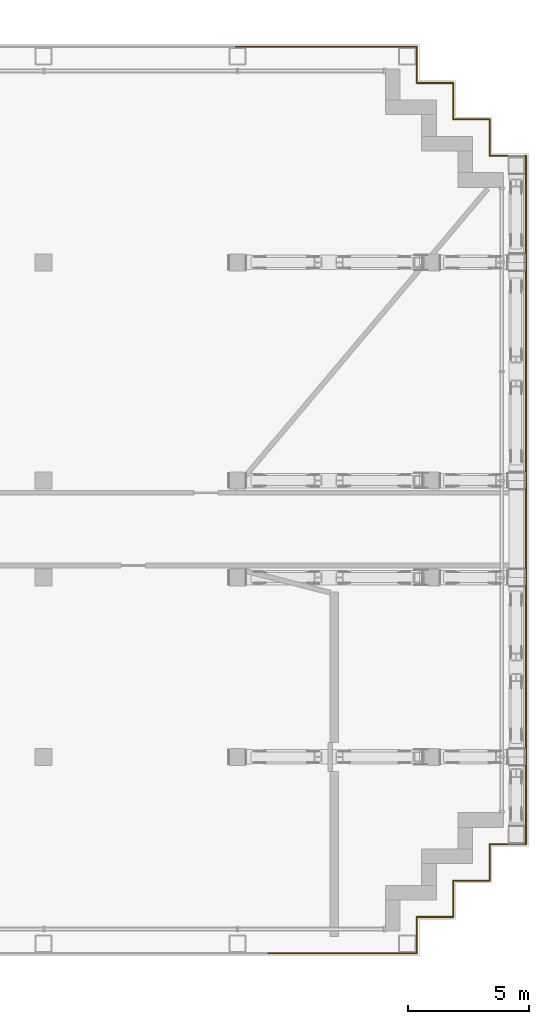
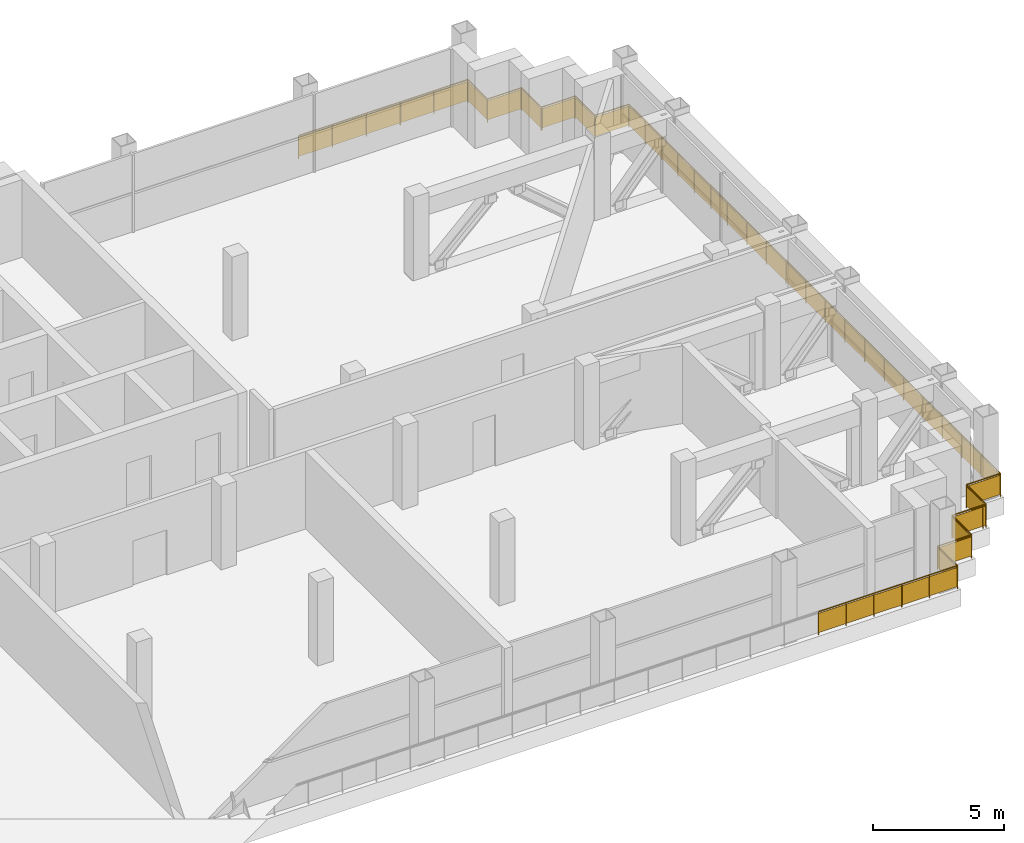
# One storey, part 21 of 21: 5 railings.
"""IFC4 building model written with IfcOpenShell, lengths in metres."""

from ifc_helpers import new_model, si_unit, direction, frame, origin, origin_2d, place, context, subcontext, project, spatial, rectangle, circle, extrude, material, type_object, element, save


model = new_model("IFC4")

# Units and contexts
model_context = context("Model", 3, precision=1e-05, world=origin(), true_north=direction((0.0, 1.0)))
body_context = subcontext(model_context, "Body", "Model", "MODEL_VIEW")
ifc_project = project(units=[si_unit("LENGTHUNIT", "METRE"), si_unit("AREAUNIT", "SQUARE_METRE"), si_unit("VOLUMEUNIT", "CUBIC_METRE"), si_unit("PLANEANGLEUNIT", "RADIAN"), si_unit("MASSUNIT", "GRAM", prefix="KILO")], contexts=[model_context])

# Site, building, storey
site_placement = place(None, origin())
site = spatial("IfcSite", under=ifc_project, at=site_placement, CompositionType="ELEMENT")
building_placement = place(site_placement, origin())
building = spatial("IfcBuilding", under=site, at=building_placement, Name="Vidyagriha Tower", CompositionType="ELEMENT")
storey_placement = place(building_placement, frame((0.0, 0.0, 161.39990234375)))
storey = spatial("IfcBuildingStorey", under=building, at=storey_placement, Name="L41", CompositionType="ELEMENT", Elevation=161.39990234375)

# Railings
ifc_material = material(Name="Steel ASTM A500 Grade C black painted", Category="steel")
railing_type = type_object("IfcRailingType", Name="Gallery guard 1100", PredefinedType="GUARDRAIL", material=ifc_material)
railing_1_placement = place(storey_placement, frame((25.929931640625, 19.89990234375, 0.0)))
element("IfcRailing", 1, at=railing_1_placement, inside=storey, type_object=railing_type, Name="Gallery guard L41 2", PredefinedType="GUARDRAIL", context=body_context, shape_type="SweptSolid", body=[
    extrude(circle(Radius=0.02490234375, at=origin_2d()), frame((0.0, 0.0, 1.0751953125), z_axis=(1.0, 0.0, 0.0), x_axis=(0.0, 1.0, 0.0)), (0.0, 0.0, 1.0), 7.469970703125),
    extrude(circle(Radius=0.02490234375, at=origin_2d()), frame((7.469970703125, 0.0, 1.0751953125), z_axis=(0.0, -1.0, 0.0), x_axis=(1.0, 0.0, 0.0)), (0.0, 0.0, 1.0), 1.5),
    extrude(circle(Radius=0.02490234375, at=origin_2d()), frame((7.469970703125, -1.5, 1.0751953125), z_axis=(1.0, 0.0, 0.0), x_axis=(0.0, 1.0, 0.0)), (0.0, 0.0, 1.0), 1.5),
    extrude(circle(Radius=0.02490234375, at=origin_2d()), frame((8.969970703125, -1.5, 1.0751953125), z_axis=(0.0, -1.0, 0.0), x_axis=(1.0, 0.0, 0.0)), (0.0, 0.0, 1.0), 1.5),
    extrude(circle(Radius=0.02490234375, at=origin_2d()), frame((8.969970703125, -3.0, 1.0751953125), z_axis=(1.0, 0.0, 0.0), x_axis=(0.0, 1.0, 0.0)), (0.0, 0.0, 1.0), 0.030029296875),
    extrude(circle(Radius=0.02001953125, at=origin_2d()), origin(), (0.0, 0.0, 1.0), 1.050048828125),
    extrude(circle(Radius=0.02001953125, at=origin_2d()), frame((1.493896484375, 0.0, 0.0)), (0.0, 0.0, 1.0), 1.050048828125),
    extrude(circle(Radius=0.02001953125, at=origin_2d()), frame((2.988037109375, 0.0, 0.0)), (0.0, 0.0, 1.0), 1.050048828125),
    extrude(circle(Radius=0.02001953125, at=origin_2d()), frame((4.48193359375, 0.0, 0.0)), (0.0, 0.0, 1.0), 1.050048828125),
    extrude(circle(Radius=0.02001953125, at=origin_2d()), frame((5.97607421875, 0.0, 0.0)), (0.0, 0.0, 1.0), 1.050048828125),
    extrude(circle(Radius=0.02001953125, at=origin_2d()), frame((7.469970703125, 0.0, 0.0)), (0.0, 0.0, 1.0), 1.050048828125),
    extrude(circle(Radius=0.02001953125, at=origin_2d()), frame((7.469970703125, -1.5, 0.0)), (0.0, 0.0, 1.0), 1.050048828125),
    extrude(circle(Radius=0.02001953125, at=origin_2d()), frame((8.969970703125, -1.5, 0.0)), (0.0, 0.0, 1.0), 1.050048828125),
    extrude(circle(Radius=0.02001953125, at=origin_2d()), frame((8.969970703125, -3.0, 0.0)), (0.0, 0.0, 1.0), 1.050048828125),
    extrude(circle(Radius=0.02001953125, at=origin_2d()), frame((9.0, -3.0, 0.0)), (0.0, 0.0, 1.0), 1.050048828125),
    extrude(rectangle(XDim=0.010009765625, YDim=0.900146484375, at=origin_2d()), frame((0.0, 0.0, 0.550048828125), z_axis=(1.0, 0.0, 0.0), x_axis=(0.0, 1.0, 0.0)), (0.0, 0.0, 1.0), 7.469970703125),
    extrude(rectangle(XDim=0.010009765625, YDim=0.900146484375, at=origin_2d()), frame((7.469970703125, 0.0, 0.550048828125), z_axis=(0.0, -1.0, 0.0), x_axis=(1.0, 0.0, 0.0)), (0.0, 0.0, 1.0), 1.5),
    extrude(rectangle(XDim=0.010009765625, YDim=0.900146484375, at=origin_2d()), frame((7.469970703125, -1.5, 0.550048828125), z_axis=(1.0, 0.0, 0.0), x_axis=(0.0, 1.0, 0.0)), (0.0, 0.0, 1.0), 1.5),
    extrude(rectangle(XDim=0.010009765625, YDim=0.900146484375, at=origin_2d()), frame((8.969970703125, -1.5, 0.550048828125), z_axis=(0.0, -1.0, 0.0), x_axis=(1.0, 0.0, 0.0)), (0.0, 0.0, 1.0), 1.5),
    extrude(rectangle(XDim=0.010009765625, YDim=0.900146484375, at=origin_2d()), frame((8.969970703125, -3.0, 0.550048828125), z_axis=(1.0, 0.0, 0.0), x_axis=(0.0, 1.0, 0.0)), (0.0, 0.0, 1.0), 0.030029296875),
])
railing_2_placement = place(storey_placement, frame((34.929931640625, 16.89990234375, 0.0)))
element("IfcRailing", 2, at=railing_2_placement, inside=storey, type_object=railing_type, Name="Gallery guard L41 3", PredefinedType="GUARDRAIL", context=body_context, shape_type="SweptSolid", body=[
    extrude(circle(Radius=0.02490234375, at=origin_2d()), frame((0.0, 0.0, 1.0751953125), z_axis=(1.0, 0.0, 0.0), x_axis=(0.0, 1.0, 0.0)), (0.0, 0.0, 1.0), 1.469970703125),
    extrude(circle(Radius=0.02490234375, at=origin_2d()), frame((1.469970703125, 0.0, 1.0751953125), z_axis=(0.0, -1.0, 0.0), x_axis=(1.0, 0.0, 0.0)), (0.0, 0.0, 1.0), 1.5),
    extrude(circle(Radius=0.02490234375, at=origin_2d()), frame((1.469970703125, -1.5, 1.0751953125), z_axis=(1.0, 0.0, 0.0), x_axis=(0.0, 1.0, 0.0)), (0.0, 0.0, 1.0), 1.5),
    extrude(circle(Radius=0.02490234375, at=origin_2d()), frame((2.969970703125, -1.5, 1.0751953125), z_axis=(0.0, -1.0, 0.0), x_axis=(1.0, 0.0, 0.0)), (0.0, 0.0, 1.0), 7.52978515625),
    extrude(circle(Radius=0.02001953125, at=origin_2d()), origin(), (0.0, 0.0, 1.0), 1.050048828125),
    extrude(circle(Radius=0.02001953125, at=origin_2d()), frame((1.469970703125, 0.0, 0.0)), (0.0, 0.0, 1.0), 1.050048828125),
    extrude(circle(Radius=0.02001953125, at=origin_2d()), frame((1.469970703125, -1.5, 0.0)), (0.0, 0.0, 1.0), 1.050048828125),
    extrude(circle(Radius=0.02001953125, at=origin_2d()), frame((2.969970703125, -1.5, 0.0)), (0.0, 0.0, 1.0), 1.050048828125),
    extrude(circle(Radius=0.02001953125, at=origin_2d()), frame((2.969970703125, -2.7548828125, 0.0)), (0.0, 0.0, 1.0), 1.050048828125),
    extrude(circle(Radius=0.02001953125, at=origin_2d()), frame((2.969970703125, -4.010009765625, 0.0)), (0.0, 0.0, 1.0), 1.050048828125),
    extrude(circle(Radius=0.02001953125, at=origin_2d()), frame((2.969970703125, -5.264892578125, 0.0)), (0.0, 0.0, 1.0), 1.050048828125),
    extrude(circle(Radius=0.02001953125, at=origin_2d()), frame((2.969970703125, -6.519775390625, 0.0)), (0.0, 0.0, 1.0), 1.050048828125),
    extrude(circle(Radius=0.02001953125, at=origin_2d()), frame((2.969970703125, -7.77490234375, 0.0)), (0.0, 0.0, 1.0), 1.050048828125),
    extrude(circle(Radius=0.02001953125, at=origin_2d()), frame((2.969970703125, -9.02978515625, 0.0)), (0.0, 0.0, 1.0), 1.050048828125),
    extrude(rectangle(XDim=0.010009765625, YDim=0.900146484375, at=origin_2d()), frame((0.0, 0.0, 0.550048828125), z_axis=(1.0, 0.0, 0.0), x_axis=(0.0, 1.0, 0.0)), (0.0, 0.0, 1.0), 1.469970703125),
    extrude(rectangle(XDim=0.010009765625, YDim=0.900146484375, at=origin_2d()), frame((1.469970703125, 0.0, 0.550048828125), z_axis=(0.0, -1.0, 0.0), x_axis=(1.0, 0.0, 0.0)), (0.0, 0.0, 1.0), 1.5),
    extrude(rectangle(XDim=0.010009765625, YDim=0.900146484375, at=origin_2d()), frame((1.469970703125, -1.5, 0.550048828125), z_axis=(1.0, 0.0, 0.0), x_axis=(0.0, 1.0, 0.0)), (0.0, 0.0, 1.0), 1.5),
    extrude(rectangle(XDim=0.010009765625, YDim=0.900146484375, at=origin_2d()), frame((2.969970703125, -1.5, 0.550048828125), z_axis=(0.0, -1.0, 0.0), x_axis=(1.0, 0.0, 0.0)), (0.0, 0.0, 1.0), 7.52978515625),
])
railing_3_placement = place(storey_placement, frame((37.89990234375, 7.8701171875, 0.0)))
element("IfcRailing", 3, at=railing_3_placement, inside=storey, type_object=railing_type, Name="Gallery guard L41 4", PredefinedType="GUARDRAIL", context=body_context, shape_type="SweptSolid", body=[
    extrude(circle(Radius=0.02490234375, at=origin_2d()), frame((0.0, 0.0, 1.0751953125), z_axis=(0.0, -1.0, 0.0), x_axis=(1.0, 0.0, 0.0)), (0.0, 0.0, 1.0), 12.0),
    extrude(circle(Radius=0.02001953125, at=origin_2d()), origin(), (0.0, 0.0, 1.0), 1.050048828125),
    extrude(circle(Radius=0.02001953125, at=origin_2d()), frame((0.0, -1.5, 0.0)), (0.0, 0.0, 1.0), 1.050048828125),
    extrude(circle(Radius=0.02001953125, at=origin_2d()), frame((0.0, -3.0, 0.0)), (0.0, 0.0, 1.0), 1.050048828125),
    extrude(circle(Radius=0.02001953125, at=origin_2d()), frame((0.0, -4.5, 0.0)), (0.0, 0.0, 1.0), 1.050048828125),
    extrude(circle(Radius=0.02001953125, at=origin_2d()), frame((0.0, -6.0, 0.0)), (0.0, 0.0, 1.0), 1.050048828125),
    extrude(circle(Radius=0.02001953125, at=origin_2d()), frame((0.0, -7.5, 0.0)), (0.0, 0.0, 1.0), 1.050048828125),
    extrude(circle(Radius=0.02001953125, at=origin_2d()), frame((0.0, -9.0, 0.0)), (0.0, 0.0, 1.0), 1.050048828125),
    extrude(circle(Radius=0.02001953125, at=origin_2d()), frame((0.0, -10.5, 0.0)), (0.0, 0.0, 1.0), 1.050048828125),
    extrude(circle(Radius=0.02001953125, at=origin_2d()), frame((0.0, -12.0, 0.0)), (0.0, 0.0, 1.0), 1.050048828125),
    extrude(rectangle(XDim=0.010009765625, YDim=0.900146484375, at=origin_2d()), frame((0.0, 0.0, 0.550048828125), z_axis=(0.0, -1.0, 0.0), x_axis=(1.0, 0.0, 0.0)), (0.0, 0.0, 1.0), 12.0),
])
railing_4_placement = place(storey_placement, frame((37.89990234375, -4.1298828125, 0.0)))
element("IfcRailing", 4, at=railing_4_placement, inside=storey, type_object=railing_type, Name="Gallery guard L41 5", PredefinedType="GUARDRAIL", context=body_context, shape_type="SweptSolid", body=[
    extrude(circle(Radius=0.02490234375, at=origin_2d()), frame((0.0, 0.0, 1.0751953125), z_axis=(0.0, -1.0, 0.0), x_axis=(1.0, 0.0, 0.0)), (0.0, 0.0, 1.0), 8.8701171875),
    extrude(circle(Radius=0.02490234375, at=origin_2d()), frame((0.0, -8.8701171875, 1.0751953125), z_axis=(-1.0, 0.0, 0.0), x_axis=(0.0, -1.0, 0.0)), (0.0, 0.0, 1.0), 1.5),
    extrude(circle(Radius=0.02490234375, at=origin_2d()), frame((-1.5, -8.8701171875, 1.0751953125), z_axis=(0.0, -1.0, 0.0), x_axis=(1.0, 0.0, 0.0)), (0.0, 0.0, 1.0), 1.5),
    extrude(circle(Radius=0.02490234375, at=origin_2d()), frame((-1.5, -10.3701171875, 1.0751953125), z_axis=(-1.0, 0.0, 0.0), x_axis=(0.0, -1.0, 0.0)), (0.0, 0.0, 1.0), 0.1298828125),
    extrude(circle(Radius=0.02001953125, at=origin_2d()), origin(), (0.0, 0.0, 1.0), 1.050048828125),
    extrude(circle(Radius=0.02001953125, at=origin_2d()), frame((0.0, -1.478271484375, 0.0)), (0.0, 0.0, 1.0), 1.050048828125),
    extrude(circle(Radius=0.02001953125, at=origin_2d()), frame((0.0, -2.956787109375, 0.0)), (0.0, 0.0, 1.0), 1.050048828125),
    extrude(circle(Radius=0.02001953125, at=origin_2d()), frame((0.0, -4.43505859375, 0.0)), (0.0, 0.0, 1.0), 1.050048828125),
    extrude(circle(Radius=0.02001953125, at=origin_2d()), frame((0.0, -5.913330078125, 0.0)), (0.0, 0.0, 1.0), 1.050048828125),
    extrude(circle(Radius=0.02001953125, at=origin_2d()), frame((0.0, -7.391845703125, 0.0)), (0.0, 0.0, 1.0), 1.050048828125),
    extrude(circle(Radius=0.02001953125, at=origin_2d()), frame((0.0, -8.8701171875, 0.0)), (0.0, 0.0, 1.0), 1.050048828125),
    extrude(circle(Radius=0.02001953125, at=origin_2d()), frame((-1.5, -8.8701171875, 0.0)), (0.0, 0.0, 1.0), 1.050048828125),
    extrude(circle(Radius=0.02001953125, at=origin_2d()), frame((-1.5, -10.3701171875, 0.0)), (0.0, 0.0, 1.0), 1.050048828125),
    extrude(circle(Radius=0.02001953125, at=origin_2d()), frame((-1.6298828125, -10.3701171875, 0.0)), (0.0, 0.0, 1.0), 1.050048828125),
    extrude(rectangle(XDim=0.010009765625, YDim=0.900146484375, at=origin_2d()), frame((0.0, 0.0, 0.550048828125), z_axis=(0.0, -1.0, 0.0), x_axis=(1.0, 0.0, 0.0)), (0.0, 0.0, 1.0), 8.8701171875),
    extrude(rectangle(XDim=0.010009765625, YDim=0.900146484375, at=origin_2d()), frame((0.0, -8.8701171875, 0.550048828125), z_axis=(-1.0, 0.0, 0.0), x_axis=(0.0, -1.0, 0.0)), (0.0, 0.0, 1.0), 1.5),
    extrude(rectangle(XDim=0.010009765625, YDim=0.900146484375, at=origin_2d()), frame((-1.5, -8.8701171875, 0.550048828125), z_axis=(0.0, -1.0, 0.0), x_axis=(1.0, 0.0, 0.0)), (0.0, 0.0, 1.0), 1.5),
    extrude(rectangle(XDim=0.010009765625, YDim=0.900146484375, at=origin_2d()), frame((-1.5, -10.3701171875, 0.550048828125), z_axis=(-1.0, 0.0, 0.0), x_axis=(0.0, -1.0, 0.0)), (0.0, 0.0, 1.0), 0.1298828125),
])
railing_5_placement = place(storey_placement, frame((36.27001953125, -14.5, 0.0)))
element("IfcRailing", 5, at=railing_5_placement, inside=storey, type_object=railing_type, Name="Gallery guard L41 6", PredefinedType="GUARDRAIL", context=body_context, shape_type="SweptSolid", body=[
    extrude(circle(Radius=0.02490234375, at=origin_2d()), frame((0.0, 0.0, 1.0751953125), z_axis=(-1.0, 0.0, 0.0), x_axis=(0.0, -1.0, 0.0)), (0.0, 0.0, 1.0), 1.3701171875),
    extrude(circle(Radius=0.02490234375, at=origin_2d()), frame((-1.3701171875, 0.0, 1.0751953125), z_axis=(0.0, -1.0, 0.0), x_axis=(1.0, 0.0, 0.0)), (0.0, 0.0, 1.0), 1.5),
    extrude(circle(Radius=0.02490234375, at=origin_2d()), frame((-1.3701171875, -1.5, 1.0751953125), z_axis=(-1.0, 0.0, 0.0), x_axis=(0.0, -1.0, 0.0)), (0.0, 0.0, 1.0), 1.5),
    extrude(circle(Radius=0.02490234375, at=origin_2d()), frame((-2.8701171875, -1.5, 1.0751953125), z_axis=(0.0, -1.0, 0.0), x_axis=(1.0, 0.0, 0.0)), (0.0, 0.0, 1.0), 1.5),
    extrude(circle(Radius=0.02490234375, at=origin_2d()), frame((-2.8701171875, -3.0, 1.0751953125), z_axis=(-1.0, 0.0, 0.0), x_axis=(0.0, -1.0, 0.0)), (0.0, 0.0, 1.0), 6.1298828125),
    extrude(circle(Radius=0.02001953125, at=origin_2d()), origin(), (0.0, 0.0, 1.0), 1.050048828125),
    extrude(circle(Radius=0.02001953125, at=origin_2d()), frame((-1.3701171875, 0.0, 0.0)), (0.0, 0.0, 1.0), 1.050048828125),
    extrude(circle(Radius=0.02001953125, at=origin_2d()), frame((-1.3701171875, -1.5, 0.0)), (0.0, 0.0, 1.0), 1.050048828125),
    extrude(circle(Radius=0.02001953125, at=origin_2d()), frame((-2.8701171875, -1.5, 0.0)), (0.0, 0.0, 1.0), 1.050048828125),
    extrude(circle(Radius=0.02001953125, at=origin_2d()), frame((-2.8701171875, -3.0, 0.0)), (0.0, 0.0, 1.0), 1.050048828125),
    extrude(circle(Radius=0.02001953125, at=origin_2d()), frame((-4.09619140625, -3.0, 0.0)), (0.0, 0.0, 1.0), 1.050048828125),
    extrude(circle(Radius=0.02001953125, at=origin_2d()), frame((-5.322021484375, -3.0, 0.0)), (0.0, 0.0, 1.0), 1.050048828125),
    extrude(circle(Radius=0.02001953125, at=origin_2d()), frame((-6.548095703125, -3.0, 0.0)), (0.0, 0.0, 1.0), 1.050048828125),
    extrude(circle(Radius=0.02001953125, at=origin_2d()), frame((-7.77392578125, -3.0, 0.0)), (0.0, 0.0, 1.0), 1.050048828125),
    extrude(circle(Radius=0.02001953125, at=origin_2d()), frame((-9.0, -3.0, 0.0)), (0.0, 0.0, 1.0), 1.050048828125),
    extrude(rectangle(XDim=0.010009765625, YDim=0.900146484375, at=origin_2d()), frame((0.0, 0.0, 0.550048828125), z_axis=(-1.0, 0.0, 0.0), x_axis=(0.0, -1.0, 0.0)), (0.0, 0.0, 1.0), 1.3701171875),
    extrude(rectangle(XDim=0.010009765625, YDim=0.900146484375, at=origin_2d()), frame((-1.3701171875, 0.0, 0.550048828125), z_axis=(0.0, -1.0, 0.0), x_axis=(1.0, 0.0, 0.0)), (0.0, 0.0, 1.0), 1.5),
    extrude(rectangle(XDim=0.010009765625, YDim=0.900146484375, at=origin_2d()), frame((-1.3701171875, -1.5, 0.550048828125), z_axis=(-1.0, 0.0, 0.0), x_axis=(0.0, -1.0, 0.0)), (0.0, 0.0, 1.0), 1.5),
    extrude(rectangle(XDim=0.010009765625, YDim=0.900146484375, at=origin_2d()), frame((-2.8701171875, -1.5, 0.550048828125), z_axis=(0.0, -1.0, 0.0), x_axis=(1.0, 0.0, 0.0)), (0.0, 0.0, 1.0), 1.5),
    extrude(rectangle(XDim=0.010009765625, YDim=0.900146484375, at=origin_2d()), frame((-2.8701171875, -3.0, 0.550048828125), z_axis=(-1.0, 0.0, 0.0), x_axis=(0.0, -1.0, 0.0)), (0.0, 0.0, 1.0), 6.1298828125),
])

save(model, "model.ifc")
